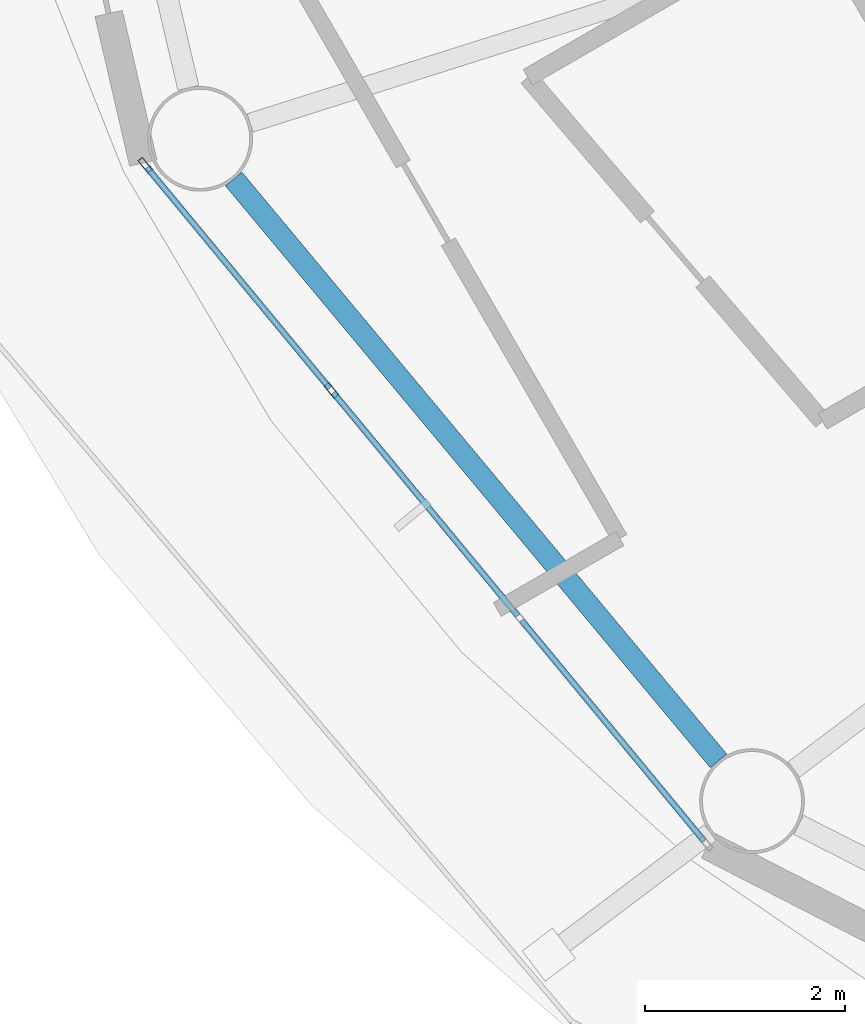
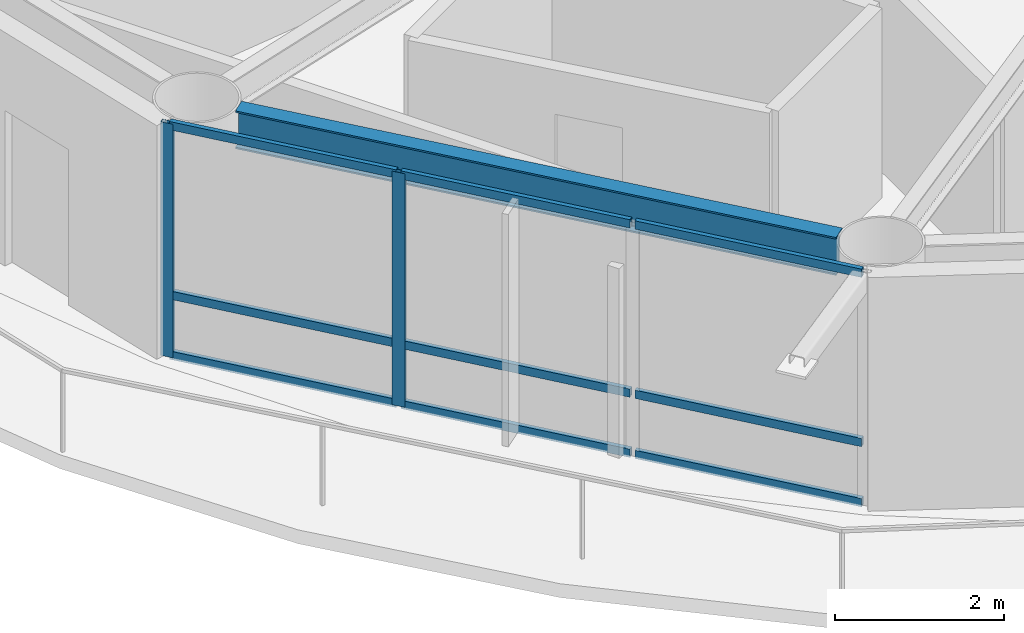
# One storey, part 3 of 29: 11 members, 1 beam, 1 element without a shape of its own.
"""IFC4 building model written with IfcOpenShell, lengths in metres."""

from ifc_helpers import new_model, si_unit, direction, frame, origin, origin_2d, place, context, subcontext, project, spatial, hollow_rectangle, i_section, extrude, material, layer, layer_set, material_profile, profile_set, type_object, element, aggregate, save


model = new_model("IFC4")

# Units and contexts
model_context = context("Model", 3, precision=1e-05, world=origin(), true_north=direction((0.0, 1.0)))
body_context = subcontext(model_context, "Body", "Model", "MODEL_VIEW")
ifc_project = project(units=[si_unit("LENGTHUNIT", "METRE"), si_unit("AREAUNIT", "SQUARE_METRE"), si_unit("VOLUMEUNIT", "CUBIC_METRE"), si_unit("PLANEANGLEUNIT", "RADIAN"), si_unit("MASSUNIT", "GRAM", prefix="KILO")], contexts=[model_context])

# Site, building, storey
site_placement = place(None, origin())
site = spatial("IfcSite", under=ifc_project, at=site_placement, CompositionType="ELEMENT")
building_placement = place(site_placement, origin())
building = spatial("IfcBuilding", under=site, at=building_placement, Name="Sarneth Arch Tower", CompositionType="ELEMENT")
storey_placement = place(building_placement, frame((0.0, 0.0, 175.800048828125)))
storey = spatial("IfcBuildingStorey", under=building, at=storey_placement, Name="L44", CompositionType="ELEMENT", Elevation=175.800048828125)

# Beam
ifc_material_1 = material(Name="Steel S355", Category="steel")
ifc_material_profile_1 = material_profile(ifc_material_1, i_section(OverallWidth=0.214111328125, OverallDepth=0.549072265625, WebThickness=0.0146484375, FlangeThickness=0.023681640625, FilletRadius=0.01806640625, at=origin_2d()), Name="W530x138")
ifc_profile_set_1 = profile_set([ifc_material_profile_1], Name="Steel S355")
beam_type = type_object("IfcBeamType", Name="BM-RAD-530A", PredefinedType="BEAM", material=ifc_profile_set_1)
beam_placement = place(storey_placement, frame((23.673828125, 33.770751953125, 3.10546875), z_axis=(0.640171737024, -0.768231831621, 0.0), x_axis=(0.768231831621, 0.640171737024, 0.0)))
element("IfcBeam", 1, at=beam_placement, inside=storey, type_object=beam_type, Name="L44 Perimeter spandrel beam 10", PredefinedType="BEAM", context=body_context, shape_type="SweptSolid", body=[
    extrude(i_section(OverallWidth=0.214111328125, OverallDepth=0.549072265625, WebThickness=0.0146484375, FlangeThickness=0.023681640625, FilletRadius=0.01806640625, at=origin_2d()), origin(), (0.0, 0.0, 1.0), 7.585693359375),
])

# Curtain wall, members
ifc_material_2 = material(Name="Anodised aluminium Type AA25 and solar-control low-e laminated IGU", Category="aluminium")
ifc_layer = layer(ifc_material_2, 0.169921875)
ifc_layer_set = layer_set([ifc_layer], Name="Anodised aluminium Type AA25 and solar-control low-e laminated IGU")
curtain_wall_type = type_object("IfcCurtainWallType", Name="CW-RES-MID", PredefinedType="NOTDEFINED", material=ifc_layer_set)
curtain_wall_placement = place(storey_placement, origin())
curtain_wall = element("IfcCurtainWall", 2, at=curtain_wall_placement, inside=storey, type_object=curtain_wall_type, Name="L44 Unitised curtain wall facet 10", PredefinedType="NOTDEFINED")
ifc_material_3 = material(Name="Anodised Aluminium 6063-T6", Category="aluminium")
ifc_material_profile_2 = material_profile(ifc_material_3, hollow_rectangle(XDim=0.06005859375, YDim=0.159912109375, WallThickness=0.00390625, at=origin_2d()), Name="AL-MULL-160x60x4")
ifc_profile_set_2 = profile_set([ifc_material_profile_2], Name="Anodised Aluminium 6063-T6")
member_type_1 = type_object("IfcMemberType", Name="CW-MULLION", PredefinedType="MULLION", material=ifc_profile_set_2)
member_1_placement = place(storey_placement, frame((22.786865234375, 33.909912109375, 0.0), z_axis=(0.0, 0.0, 1.0), x_axis=(0.770590741276, 0.637330298558, 0.0)))
member_1 = element("IfcMember", 3, at=member_1_placement, type_object=member_type_1, Name="CW-SYS-5 mullion 1", PredefinedType="MULLION", context=body_context, shape_type="SweptSolid", body=[
    extrude(hollow_rectangle(XDim=0.06005859375, YDim=0.159912109375, WallThickness=0.00390625, at=origin_2d()), origin(), (0.0, 0.0, 1.0), 3.3798828125),
])
member_2_placement = place(storey_placement, frame((24.653076171875, 31.6533203125, 0.0), z_axis=(0.0, 0.0, 1.0), x_axis=(0.770590741276, 0.637330298558, 0.0)))
member_2 = element("IfcMember", 4, at=member_2_placement, type_object=member_type_1, Name="CW-SYS-5 mullion 2", PredefinedType="MULLION", context=body_context, shape_type="SweptSolid", body=[
    extrude(hollow_rectangle(XDim=0.06005859375, YDim=0.159912109375, WallThickness=0.00390625, at=origin_2d()), origin(), (0.0, 0.0, 1.0), 3.3798828125),
])
ifc_material_4 = material(Name="Anodised Aluminium 6063-T6", Category="aluminium")
ifc_material_profile_3 = material_profile(ifc_material_4, hollow_rectangle(XDim=0.06005859375, YDim=0.1201171875, WallThickness=0.00390625, at=origin_2d()), Name="AL-TRAN-120x60x4")
ifc_profile_set_3 = profile_set([ifc_material_profile_3], Name="Anodised Aluminium 6063-T6")
member_type_2 = type_object("IfcMemberType", Name="CW-TRANSOM", PredefinedType="USERDEFINED", material=ifc_profile_set_3)
member_3_placement = place(storey_placement, frame((22.805908203125, 33.88671875, 0.030029296875), z_axis=(0.637358651504, -0.770567290607, 0.0), x_axis=(0.770567290607, 0.637358651504, 0.0)))
member_3 = element("IfcMember", 5, at=member_3_placement, type_object=member_type_2, Name="CW-SYS-5 transom 1.1", ObjectType="TRANSOM", PredefinedType="USERDEFINED", context=body_context, shape_type="SweptSolid", body=[
    extrude(hollow_rectangle(XDim=0.06005859375, YDim=0.1201171875, WallThickness=0.00390625, at=origin_2d()), origin(), (0.0, 0.0, 1.0), 2.8681640625),
])
member_4_placement = place(storey_placement, frame((22.805908203125, 33.88671875, 0.89990234375), z_axis=(0.637358651504, -0.770567290607, 0.0), x_axis=(0.770567290607, 0.637358651504, 0.0)))
member_4 = element("IfcMember", 6, at=member_4_placement, type_object=member_type_2, Name="CW-SYS-5 transom 1.2", ObjectType="TRANSOM", PredefinedType="USERDEFINED", context=body_context, shape_type="SweptSolid", body=[
    extrude(hollow_rectangle(XDim=0.06005859375, YDim=0.1201171875, WallThickness=0.00390625, at=origin_2d()), origin(), (0.0, 0.0, 1.0), 2.8681640625),
])
member_5_placement = place(storey_placement, frame((22.805908203125, 33.88671875, 3.349853515625), z_axis=(0.637358651504, -0.770567290607, 0.0), x_axis=(0.770567290607, 0.637358651504, 0.0)))
member_5 = element("IfcMember", 7, at=member_5_placement, type_object=member_type_2, Name="CW-SYS-5 transom 1.3", ObjectType="TRANSOM", PredefinedType="USERDEFINED", context=body_context, shape_type="SweptSolid", body=[
    extrude(hollow_rectangle(XDim=0.06005859375, YDim=0.1201171875, WallThickness=0.00390625, at=origin_2d()), origin(), (0.0, 0.0, 1.0), 2.8681640625),
])
member_6_placement = place(storey_placement, frame((24.672119140625, 31.63037109375, 0.030029296875), z_axis=(0.637329777791, -0.770591171985, 0.0), x_axis=(0.770591171985, 0.637329777791, 0.0)))
member_6 = element("IfcMember", 8, at=member_6_placement, type_object=member_type_2, Name="CW-SYS-5 transom 2.1", ObjectType="TRANSOM", PredefinedType="USERDEFINED", context=body_context, shape_type="SweptSolid", body=[
    extrude(hollow_rectangle(XDim=0.06005859375, YDim=0.1201171875, WallThickness=0.00390625, at=origin_2d()), origin(), (0.0, 0.0, 1.0), 2.898193359375),
])
member_7_placement = place(storey_placement, frame((24.672119140625, 31.63037109375, 0.89990234375), z_axis=(0.637329777791, -0.770591171985, 0.0), x_axis=(0.770591171985, 0.637329777791, 0.0)))
member_7 = element("IfcMember", 9, at=member_7_placement, type_object=member_type_2, Name="CW-SYS-5 transom 2.2", ObjectType="TRANSOM", PredefinedType="USERDEFINED", context=body_context, shape_type="SweptSolid", body=[
    extrude(hollow_rectangle(XDim=0.06005859375, YDim=0.1201171875, WallThickness=0.00390625, at=origin_2d()), origin(), (0.0, 0.0, 1.0), 2.898193359375),
])
member_8_placement = place(storey_placement, frame((24.672119140625, 31.63037109375, 3.349853515625), z_axis=(0.637329777791, -0.770591171985, 0.0), x_axis=(0.770591171985, 0.637329777791, 0.0)))
member_8 = element("IfcMember", 10, at=member_8_placement, type_object=member_type_2, Name="CW-SYS-5 transom 2.3", ObjectType="TRANSOM", PredefinedType="USERDEFINED", context=body_context, shape_type="SweptSolid", body=[
    extrude(hollow_rectangle(XDim=0.06005859375, YDim=0.1201171875, WallThickness=0.00390625, at=origin_2d()), origin(), (0.0, 0.0, 1.0), 2.898193359375),
])
member_9_placement = place(storey_placement, frame((26.5576171875, 29.3505859375, 0.030029296875), z_axis=(0.637358651504, -0.770567290607, 0.0), x_axis=(0.770567290607, 0.637358651504, 0.0)))
member_9 = element("IfcMember", 11, at=member_9_placement, type_object=member_type_2, Name="CW-SYS-5 transom 3.1", ObjectType="TRANSOM", PredefinedType="USERDEFINED", context=body_context, shape_type="SweptSolid", body=[
    extrude(hollow_rectangle(XDim=0.06005859375, YDim=0.1201171875, WallThickness=0.00390625, at=origin_2d()), origin(), (0.0, 0.0, 1.0), 2.8681640625),
])
member_10_placement = place(storey_placement, frame((26.5576171875, 29.3505859375, 0.89990234375), z_axis=(0.637358651504, -0.770567290607, 0.0), x_axis=(0.770567290607, 0.637358651504, 0.0)))
member_10 = element("IfcMember", 12, at=member_10_placement, type_object=member_type_2, Name="CW-SYS-5 transom 3.2", ObjectType="TRANSOM", PredefinedType="USERDEFINED", context=body_context, shape_type="SweptSolid", body=[
    extrude(hollow_rectangle(XDim=0.06005859375, YDim=0.1201171875, WallThickness=0.00390625, at=origin_2d()), origin(), (0.0, 0.0, 1.0), 2.8681640625),
])
member_11_placement = place(storey_placement, frame((26.5576171875, 29.3505859375, 3.349853515625), z_axis=(0.637358651504, -0.770567290607, 0.0), x_axis=(0.770567290607, 0.637358651504, 0.0)))
member_11 = element("IfcMember", 13, at=member_11_placement, type_object=member_type_2, Name="CW-SYS-5 transom 3.3", ObjectType="TRANSOM", PredefinedType="USERDEFINED", context=body_context, shape_type="SweptSolid", body=[
    extrude(hollow_rectangle(XDim=0.06005859375, YDim=0.1201171875, WallThickness=0.00390625, at=origin_2d()), origin(), (0.0, 0.0, 1.0), 2.8681640625),
])
aggregate(curtain_wall, [member_1, member_2, member_3, member_4, member_5, member_6, member_7, member_8, member_9, member_10, member_11])

save(model, "model.ifc")
